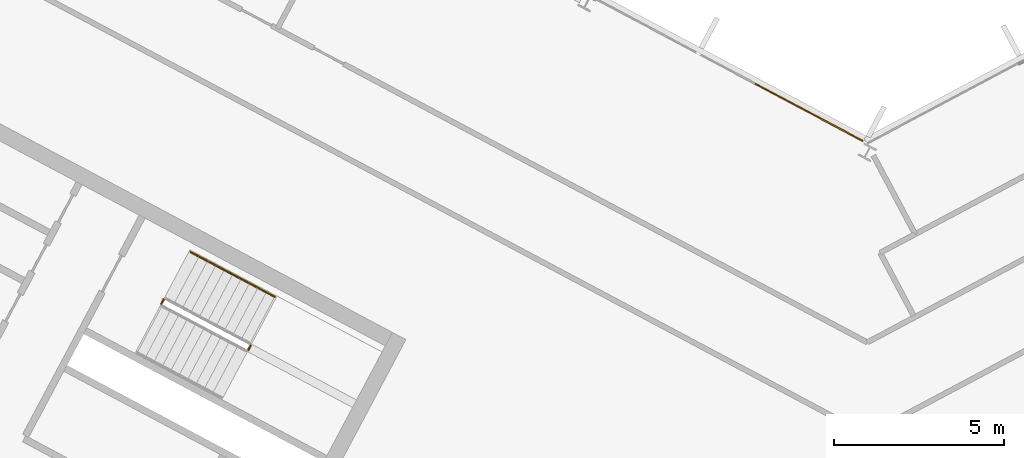
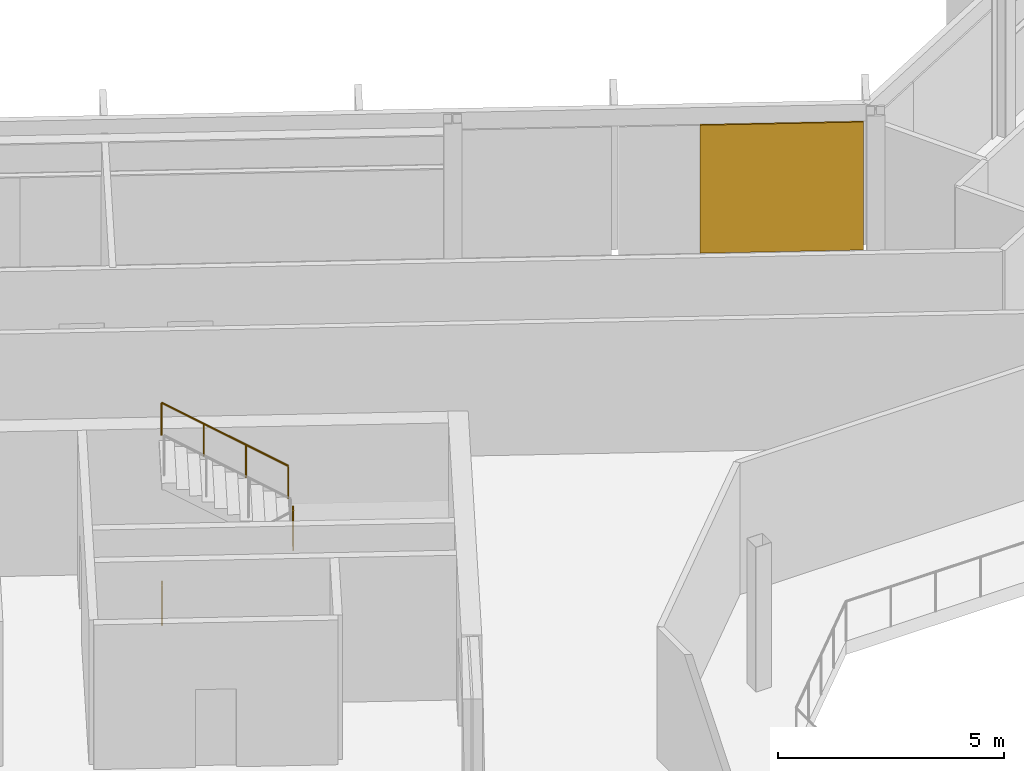
# One storey, part 23 of 26: 3 railings, 1 covering, 1 element without a shape of its own.
"""IFC4 building model written with IfcOpenShell, lengths in metres."""

import ifcopenshell
import ifcopenshell.guid

model = None  # the IFC model being written
_history = None  # IfcOwnerHistory: only IFC2X3 demands one
_inside = {}  # id of a spatial element -> (the spatial element, [elements in it])
_under = {}  # id of a project, library or spatial element -> (it, [spatial elements below it])
_declared = {}  # id of a project -> (the project, [libraries it declares])
_typed = {}  # id of a type object -> (the type object, [elements of that type])
_made_of = {}  # id of a material, layer set ... -> (it, [elements and type objects made of it])


def new_model(schema):
    """Start an empty IFC model of exactly this schema.

    Asked for "IFC4X3", IfcOpenShell would pick the latest addendum, in which some entities
    have other attributes; the version numbers below select the first issue.
    IFC2X3 requires an IfcOwnerHistory on every rooted entity: one is made here for all.
    """
    global model, _history
    if schema == "IFC4X3":
        model = ifcopenshell.file(schema_version=(4, 3, 0, 0))
    else:
        model = ifcopenshell.file(schema=schema)
    _inside.clear()
    _under.clear()
    _declared.clear()
    _typed.clear()
    _made_of.clear()
    _history = None
    if model.schema == "IFC2X3":
        org = make("IfcOrganization", Name="unknown")
        user = make(
            "IfcPersonAndOrganization",
            ThePerson=make("IfcPerson", FamilyName="unknown"),
            TheOrganization=org,
        )
        app = make(
            "IfcApplication",
            ApplicationDeveloper=org,
            Version="unknown",
            ApplicationFullName="unknown",
            ApplicationIdentifier="unknown",
        )
        _history = make(
            "IfcOwnerHistory",
            OwningUser=user,
            OwningApplication=app,
            ChangeAction="ADDED",
            CreationDate=0,
        )
    return model


def make(cls, **values):
    """One entity of the class cls with the attributes given. An attribute that is None is left unset."""
    return model.create_entity(
        cls, **{name: value for name, value in values.items() if value is not None}
    )


def rooted(cls, **values):
    """An entity with a GlobalId (a new one), such as an element, a storey or a relation."""
    return make(cls, GlobalId=ifcopenshell.guid.new(), OwnerHistory=_history, **values)


def si_unit(unit_type, name, prefix=None):
    """IfcSIUnit, for example si_unit("LENGTHUNIT", "METRE", prefix="MILLI")."""
    return make("IfcSIUnit", UnitType=unit_type, Prefix=prefix, Name=name)


def assignment(units):
    """IfcUnitAssignment: the units of a project."""
    return None if units is None else make("IfcUnitAssignment", Units=units)


def point(xyz):
    """IfcCartesianPoint."""
    return None if xyz is None else make("IfcCartesianPoint", Coordinates=xyz)


def direction(xyz):
    """IfcDirection."""
    return None if xyz is None else make("IfcDirection", DirectionRatios=xyz)


def frame(location, z_axis=None, x_axis=None):
    """IfcAxis2Placement3D, a coordinate frame: its origin and axes. An axis left out is left unset."""
    return make(
        "IfcAxis2Placement3D",
        Location=point(location),
        Axis=direction(z_axis),
        RefDirection=direction(x_axis),
    )


def frame_2d(location, x_axis=None):
    """IfcAxis2Placement2D, a coordinate frame in the plane: its origin and x axis."""
    return make(
        "IfcAxis2Placement2D", Location=point(location), RefDirection=direction(x_axis)
    )


def origin():
    """The frame at (0, 0, 0) with its axes left unset."""
    return frame((0.0, 0.0, 0.0))


def origin_2d():
    """The frame at (0, 0) in the plane with its x axis left unset."""
    return frame_2d((0.0, 0.0))


def place(relative_to, where):
    """IfcLocalPlacement: puts the frame where relative to a parent placement (None: the world)."""
    return make(
        "IfcLocalPlacement", PlacementRelTo=relative_to, RelativePlacement=where
    )


def context(
    kind, dimensions, precision=None, world=None, true_north=None, identifier=None
):
    """IfcGeometricRepresentationContext, for example the 3D "Model" context."""
    return make(
        "IfcGeometricRepresentationContext",
        ContextIdentifier=identifier,
        ContextType=kind,
        CoordinateSpaceDimension=dimensions,
        Precision=precision,
        WorldCoordinateSystem=world,
        TrueNorth=true_north,
    )


def subcontext(parent, identifier, kind, view, scale=None):
    """IfcGeometricRepresentationSubContext, for example "Body" below "Model"."""
    return make(
        "IfcGeometricRepresentationSubContext",
        ContextIdentifier=identifier,
        ContextType=kind,
        ParentContext=parent,
        TargetScale=scale,
        TargetView=view,
    )


def project(units=None, contexts=None):
    """IfcProject with its units and contexts."""
    return rooted(
        "IfcProject",
        Name="project",
        RepresentationContexts=contexts,
        UnitsInContext=assignment(units),
    )


def spatial(cls, under=None, at=None, **own):
    """A site, building, storey or space (cls), placed at a placement, below another one or the project."""
    s = rooted(cls, ObjectPlacement=at, **own)
    if under is not None:
        _under.setdefault(under.id(), (under, []))[1].append(s)
    return s


def polyline(points):
    """IfcPolyline through the points."""
    return make("IfcPolyline", Points=[point(p) for p in points])


def profile(cls, at=None, kind="AREA", **sizes):
    """A parametric profile (cls). Its sizes go by their IFC names, for example OverallWidth=200.0."""
    return make(cls, ProfileType=kind, Position=at, **sizes)


def rectangle(**sizes):
    """IfcRectangleProfileDef."""
    return profile("IfcRectangleProfileDef", **sizes)


def outline(outer, holes=None, kind="AREA"):
    """IfcArbitraryClosedProfileDef: a profile drawn as a closed curve; with holes, ...WithVoids."""
    if holes is None:
        return make("IfcArbitraryClosedProfileDef", ProfileType=kind, OuterCurve=outer)
    return make(
        "IfcArbitraryProfileDefWithVoids",
        ProfileType=kind,
        OuterCurve=outer,
        InnerCurves=holes,
    )


def extrude(swept, where, along, depth):
    """IfcExtrudedAreaSolid: the profile swept, set in the frame where, extruded along a direction by depth."""
    return make(
        "IfcExtrudedAreaSolid",
        SweptArea=swept,
        Position=where,
        ExtrudedDirection=direction(along),
        Depth=depth,
    )


def shape(context_of_items, identifier, shape_type, items):
    """IfcShapeRepresentation: the items that make up one representation, for example the "Body"."""
    return make(
        "IfcShapeRepresentation",
        ContextOfItems=context_of_items,
        RepresentationIdentifier=identifier,
        RepresentationType=shape_type,
        Items=items,
    )


def material(Name=None, Category=None):
    """IfcMaterial."""
    return make("IfcMaterial", Name=Name, Category=Category)


def layer(
    of_material, thickness, ventilated=None, Name=None, Category=None, Priority=None
):
    """IfcMaterialLayer: one layer of a wall or slab, of a material (None: an air gap)."""
    return make(
        "IfcMaterialLayer",
        Material=of_material,
        LayerThickness=thickness,
        IsVentilated=ventilated,
        Name=Name,
        Category=Category,
        Priority=Priority,
    )


def layer_set(layers, Name=None):
    """IfcMaterialLayerSet."""
    return make("IfcMaterialLayerSet", MaterialLayers=layers, LayerSetName=Name)


def made_of(thing, what):
    """Note that an element or type object is made of a material, layer set ...; save() writes the relation."""
    if what is not None:
        _made_of.setdefault(what.id(), (what, []))[1].append(thing)
    return thing


def type_object(cls, material=None, **own):
    """A type object (cls), such as IfcWallType, which elements share."""
    return made_of(rooted(cls, **own), material)


def element(
    cls,
    number,
    at=None,
    inside=None,
    cuts=None,
    type_object=None,
    material=None,
    context=None,
    identifier="Body",
    shape_type=None,
    held_by="IfcProductDefinitionShape",
    body=None,
    shapes=None,
    **own,
):
    """One element of the class cls, such as IfcWall. Its Tag is "e" and its number.

    at: its placement. inside: the storey or other place that contains it. cuts: it is an
    opening in that element (IfcRelVoidsElement). A single representation is given by context,
    identifier, shape_type and body (its items); several are given by shapes. held_by: the class
    of the entity that holds the representations. save() writes the other relations.
    """
    e = rooted(cls, Tag="e%d" % number, ObjectPlacement=at, **own)
    if body is not None:
        shapes = [shape(context, identifier, shape_type, body)]
    if shapes is not None:
        e.Representation = make(held_by, Representations=shapes)
    if inside is not None:
        _inside.setdefault(inside.id(), (inside, []))[1].append(e)
    if cuts is not None:
        rooted(
            "IfcRelVoidsElement", RelatingBuildingElement=cuts, RelatedOpeningElement=e
        )
    if type_object is not None:
        _typed.setdefault(type_object.id(), (type_object, []))[1].append(e)
    return made_of(e, material)


def aggregate(whole, parts):
    """IfcRelAggregates: a whole, such as a stair, and the parts it consists of."""
    return rooted("IfcRelAggregates", RelatingObject=whole, RelatedObjects=parts)


def save(model, path):
    """Write the relations noted so far, then the file.

    IfcRelAggregates (storeys below a building ...), IfcRelContainedInSpatialStructure (elements
    in a storey), IfcRelDefinesByType, IfcRelAssociatesMaterial and IfcRelDeclares: one each for
    every whole, place, type object, material and project.
    """
    for whole, parts in _under.values():
        aggregate(whole, parts)
    for where, things in _inside.values():
        rooted(
            "IfcRelContainedInSpatialStructure",
            RelatedElements=things,
            RelatingStructure=where,
        )
    for kind, things in _typed.values():
        rooted("IfcRelDefinesByType", RelatedObjects=things, RelatingType=kind)
    for what, things in _made_of.values():
        rooted("IfcRelAssociatesMaterial", RelatedObjects=things, RelatingMaterial=what)
    for by, libraries in _declared.values():
        rooted("IfcRelDeclares", RelatingContext=by, RelatedDefinitions=libraries)
    model.write(path)


model = new_model("IFC4")

# Units and contexts
model_context = context("Model", 3, precision=1e-05, world=origin(), true_north=direction((0.0, 1.0)))
body_context = subcontext(model_context, "Body", "Model", "MODEL_VIEW")
ifc_project = project(units=[si_unit("LENGTHUNIT", "METRE"), si_unit("AREAUNIT", "SQUARE_METRE"), si_unit("VOLUMEUNIT", "CUBIC_METRE"), si_unit("PLANEANGLEUNIT", "RADIAN"), si_unit("MASSUNIT", "GRAM", prefix="KILO")], contexts=[model_context])

# Site, building, storey
site_placement = place(None, origin())
site = spatial("IfcSite", under=ifc_project, at=site_placement, CompositionType="ELEMENT")
building_placement = place(site_placement, origin())
building = spatial("IfcBuilding", under=site, at=building_placement, Name="Cormorant Relay Tower", CompositionType="ELEMENT")
storey_placement = place(building_placement, frame((0.0, 0.0, 312.60009765625)))
storey = spatial("IfcBuildingStorey", under=building, at=storey_placement, Name="L71", CompositionType="ELEMENT", Elevation=312.60009765625)

# Curtain wall, covering
ifc_material_1 = material(Name="Aluminium 6063-T6 anodised bronze", Category="aluminium")
ifc_layer_1 = layer(ifc_material_1, 0.199951171875)
ifc_layer_set_1 = layer_set([ifc_layer_1], Name="CW1 unitised bronze curtain wall with vertical fins")
curtain_wall_type = type_object("IfcCurtainWallType", Name="CW1 unitised bronze curtain wall with vertical fins", PredefinedType="NOTDEFINED", material=ifc_layer_set_1)
curtain_wall_placement = place(storey_placement, origin())
curtain_wall = element("IfcCurtainWall", 1, at=curtain_wall_placement, inside=storey, type_object=curtain_wall_type, Name="CW1 curtain wall 9", PredefinedType="NOTDEFINED")
ifc_material_2 = material(Name="Pale bronze anodised aluminium insulated panel", Category="aluminium")
ifc_layer_2 = layer(ifc_material_2, 0.0400390625)
ifc_layer_set_2 = layer_set([ifc_layer_2], Name="CW1 pale bronze insulated panel 40")
covering_type = type_object("IfcCoveringType", Name="CW1 pale bronze insulated panel 40", PredefinedType="CLADDING", material=ifc_layer_set_2)
covering_placement = place(storey_placement, frame((-1.718505859375, 24.720458984375, 0.0), z_axis=(0.0, 0.0, 1.0), x_axis=(-0.882947592859, 0.469471562786, 0.0)))
covering = element("IfcCovering", 2, at=covering_placement, type_object=covering_type, Name="CW1 panel S00", PredefinedType="CLADDING", context=body_context, shape_type="SweptSolid", body=[
    extrude(rectangle(XDim=3.614013671875, YDim=0.0400390625, at=origin_2d()), origin(), (0.0, 0.0, 1.0), 3.449951171875),
])
aggregate(curtain_wall, [covering])

# Railings
ifc_material_3 = material(Name="Steel ASTM A572 Grade 50 (Fy 345 MPa)", Category="steel")
railing_type_1 = type_object("IfcRailingType", Name="Stair guard 1100", PredefinedType="GUARDRAIL", material=ifc_material_3)
railing_1_placement = place(storey_placement, frame((-18.210693359375, 17.72412109375, 1.949951171875)))
element("IfcRailing", 3, at=railing_1_placement, inside=storey, type_object=railing_type_1, Name="L71 A1 stair guard 2", PredefinedType="GUARDRAIL", context=body_context, shape_type="SweptSolid", body=[
    extrude(outline(polyline([(0.022216796875, 0.00927734375), (0.00927734375, 0.022216796875), (-0.00927734375, 0.022216796875), (-0.022216796875, 0.00927734375), (-0.022216796875, -0.00927734375), (-0.00927734375, -0.022216796875), (0.00927734375, -0.022216796875), (0.022216796875, -0.00927734375), (0.022216796875, 0.00927734375)])), frame((0.0, 0.0, 1.076171875), z_axis=(0.470503732759, 0.882398003998, 0.0), x_axis=(-0.882398003998, 0.470503732759, 0.0)), (0.0, 0.0, 1.0), 0.14990234375),
    extrude(outline(polyline([(0.019287109375, 0.008056640625), (0.008056640625, 0.019287109375), (-0.008056640625, 0.019287109375), (-0.019287109375, 0.008056640625), (-0.019287109375, -0.008056640625), (-0.008056640625, -0.019287109375), (0.008056640625, -0.019287109375), (0.019287109375, -0.008056640625), (0.019287109375, 0.008056640625)])), origin(), (0.0, 0.0, 1.0), 1.052001953125),
    extrude(outline(polyline([(0.019287109375, 0.008056640625), (0.008056640625, 0.019287109375), (-0.008056640625, 0.019287109375), (-0.019287109375, 0.008056640625), (-0.019287109375, -0.008056640625), (-0.008056640625, -0.019287109375), (0.008056640625, -0.019287109375), (0.019287109375, -0.008056640625), (0.019287109375, 0.008056640625)])), frame((0.070556640625, 0.13232421875, 0.0)), (0.0, 0.0, 1.0), 1.052001953125),
])
railing_2_placement = place(storey_placement, frame((-20.771240234375, 19.08544921875, 0.0)))
element("IfcRailing", 4, at=railing_2_placement, inside=storey, type_object=railing_type_1, Name="L71 A1 stair guard 4", PredefinedType="GUARDRAIL", context=body_context, shape_type="SweptSolid", body=[
    extrude(outline(polyline([(0.022216796875, 0.00927734375), (0.00927734375, 0.022216796875), (-0.00927734375, 0.022216796875), (-0.022216796875, 0.00927734375), (-0.022216796875, -0.00927734375), (-0.00927734375, -0.022216796875), (0.00927734375, -0.022216796875), (0.022216796875, -0.00927734375), (0.022216796875, 0.00927734375)])), frame((0.0, 0.0, 1.076171875), z_axis=(0.469828648786, 0.882757634224, 0.0), x_axis=(-0.882757634224, 0.469828648786, 0.0)), (0.0, 0.0, 1.0), 0.150146484375),
    extrude(outline(polyline([(0.019287109375, 0.008056640625), (0.008056640625, 0.019287109375), (-0.008056640625, 0.019287109375), (-0.019287109375, 0.008056640625), (-0.019287109375, -0.008056640625), (-0.008056640625, -0.019287109375), (0.008056640625, -0.019287109375), (0.019287109375, -0.008056640625), (0.019287109375, 0.008056640625)])), origin(), (0.0, 0.0, 1.0), 1.052001953125),
    extrude(outline(polyline([(0.019287109375, 0.008056640625), (0.008056640625, 0.019287109375), (-0.008056640625, 0.019287109375), (-0.019287109375, 0.008056640625), (-0.019287109375, -0.008056640625), (-0.008056640625, -0.019287109375), (0.008056640625, -0.019287109375), (0.019287109375, -0.008056640625), (0.019287109375, 0.008056640625)])), frame((0.070556640625, 0.132568359375, 0.0)), (0.0, 0.0, 1.0), 1.052001953125),
])
ifc_material_4 = material(Name="Steel ASTM A572 Grade 50 (Fy 345 MPa)", Category="steel")
railing_type_2 = type_object("IfcRailingType", Name="Stair handrail 900", PredefinedType="HANDRAIL", material=ifc_material_4)
railing_3_placement = place(storey_placement, frame((-17.433349609375, 19.292724609375, 2.127197265625)))
element("IfcRailing", 5, at=railing_3_placement, inside=storey, type_object=railing_type_2, Name="L71 A1 stair handrail 2", PredefinedType="HANDRAIL", context=body_context, shape_type="SweptSolid", body=[
    extrude(outline(polyline([(0.022216796875, 0.00927734375), (0.00927734375, 0.022216796875), (-0.00927734375, 0.022216796875), (-0.022216796875, 0.00927734375), (-0.022216796875, -0.00927734375), (-0.00927734375, -0.022216796875), (0.00927734375, -0.022216796875), (0.022216796875, -0.00927734375), (0.022216796875, 0.00927734375)])), frame((0.0, 0.0, 0.8759765625), z_axis=(-0.746001213114, 0.396649272309, 0.534931345884), x_axis=(-0.469465464807, -0.882950835185, 0.0)), (0.0, 0.0, 1.0), 3.31396484375),
    extrude(outline(polyline([(0.019287109375, 0.008056640625), (0.008056640625, 0.019287109375), (-0.008056640625, 0.019287109375), (-0.019287109375, 0.008056640625), (-0.019287109375, -0.008056640625), (-0.008056640625, -0.019287109375), (0.008056640625, -0.019287109375), (0.019287109375, -0.008056640625), (0.019287109375, 0.008056640625)])), origin(), (0.0, 0.0, 1.0), 0.851806640625),
    extrude(outline(polyline([(0.019287109375, 0.008056640625), (0.008056640625, 0.019287109375), (-0.008056640625, 0.019287109375), (-0.019287109375, 0.008056640625), (-0.019287109375, -0.008056640625), (-0.008056640625, -0.019287109375), (0.008056640625, -0.019287109375), (0.019287109375, -0.008056640625), (0.019287109375, 0.008056640625)])), frame((-0.823974609375, 0.438232421875, 0.5908203125)), (0.0, 0.0, 1.0), 0.851806640625),
    extrude(outline(polyline([(0.019287109375, 0.008056640625), (0.008056640625, 0.019287109375), (-0.008056640625, 0.019287109375), (-0.019287109375, 0.008056640625), (-0.019287109375, -0.008056640625), (-0.008056640625, -0.019287109375), (0.008056640625, -0.019287109375), (0.019287109375, -0.008056640625), (0.019287109375, 0.008056640625)])), frame((-1.648193359375, 0.876220703125, 1.181884765625)), (0.0, 0.0, 1.0), 0.851806640625),
    extrude(outline(polyline([(0.019287109375, 0.008056640625), (0.008056640625, 0.019287109375), (-0.008056640625, 0.019287109375), (-0.019287109375, 0.008056640625), (-0.019287109375, -0.008056640625), (-0.008056640625, -0.019287109375), (0.008056640625, -0.019287109375), (0.019287109375, -0.008056640625), (0.019287109375, 0.008056640625)])), frame((-2.47216796875, 1.314453125, 1.772705078125)), (0.0, 0.0, 1.0), 0.851806640625),
])

save(model, "model.ifc")
